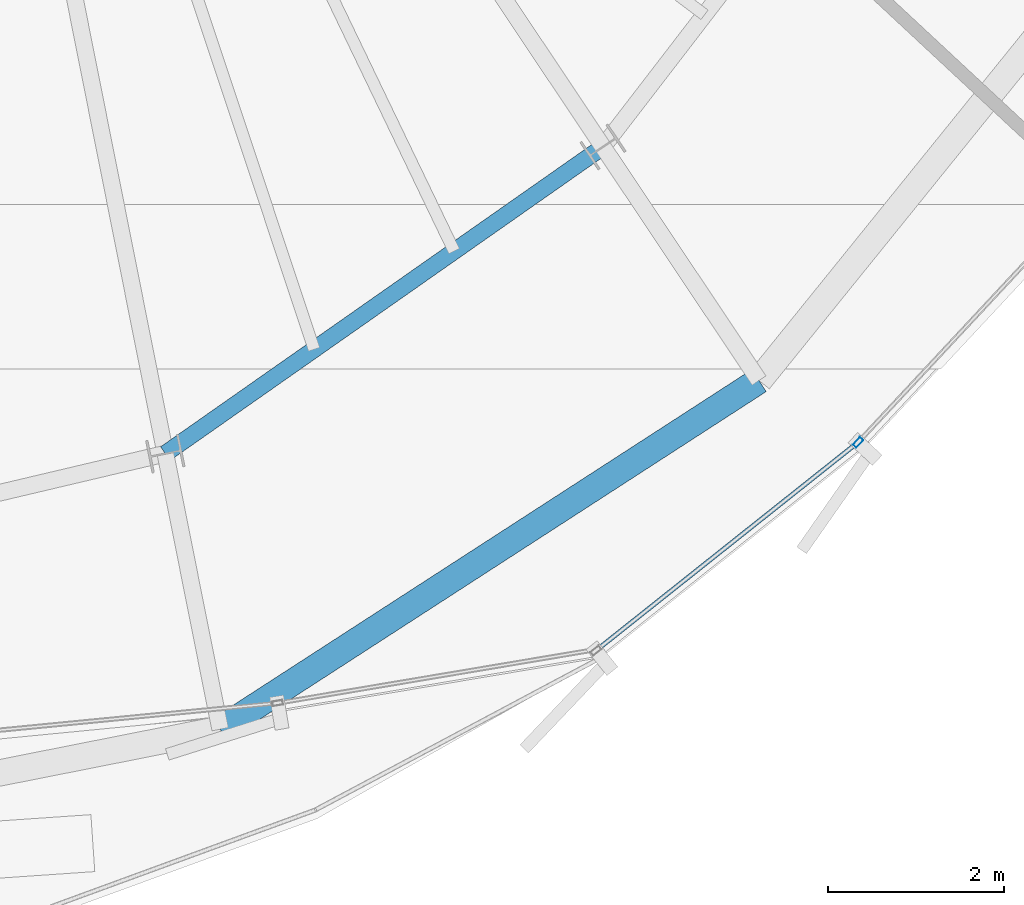
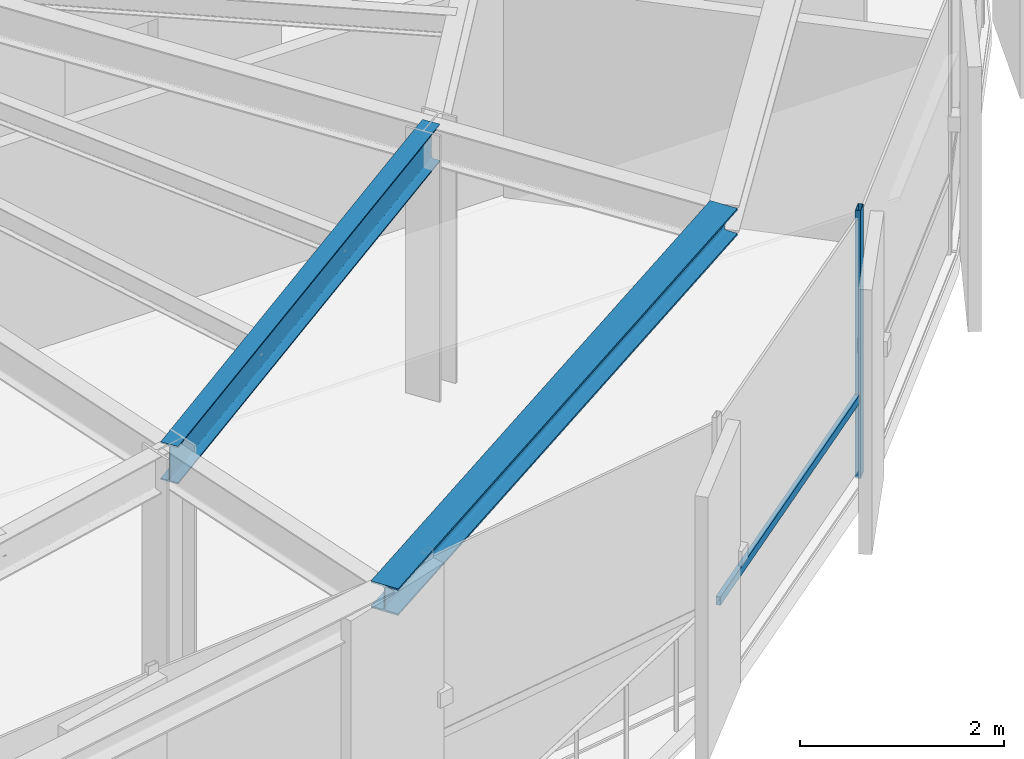
# One storey, part 7 of 32: 2 beams, 2 members, 1 element without a shape of its own.
"""IFC4 building model written with IfcOpenShell, lengths in metres."""

from ifc_helpers import new_model, si_unit, direction, frame, origin, origin_2d, place, context, subcontext, project, spatial, hollow_rectangle, i_section, extrude, source, transform, mapped, material, layer, layer_set, material_profile, profile_set, type_object, element, aggregate, save


model = new_model("IFC4")

# Units and contexts
model_context = context("Model", 3, precision=1e-05, world=origin(), true_north=direction((0.0, 1.0)))
body_context = subcontext(model_context, "Body", "Model", "MODEL_VIEW")
ifc_project = project(units=[si_unit("LENGTHUNIT", "METRE"), si_unit("AREAUNIT", "SQUARE_METRE"), si_unit("VOLUMEUNIT", "CUBIC_METRE"), si_unit("PLANEANGLEUNIT", "RADIAN"), si_unit("MASSUNIT", "GRAM", prefix="KILO"), si_unit("THERMODYNAMICTEMPERATUREUNIT", "KELVIN")], contexts=[model_context])

# Site, building, storey
site_placement = place(None, origin())
site = spatial("IfcSite", under=ifc_project, at=site_placement, CompositionType="ELEMENT")
building_placement = place(site_placement, origin())
building = spatial("IfcBuilding", under=site, at=building_placement, Name="Kethvar Cultural Tower", CompositionType="ELEMENT")
storey_placement = place(building_placement, frame((0.0, 0.0, 273.25)))
storey = spatial("IfcBuildingStorey", under=building, at=storey_placement, Name="L72", CompositionType="ELEMENT", Elevation=273.25)

# Beams
ifc_material_1 = material(Name="Steel S355J2", Category="steel")
ifc_material_profile_1 = material_profile(ifc_material_1, i_section(OverallWidth=0.18994140625, OverallDepth=0.449951171875, WebThickness=0.009521484375, FlangeThickness=0.0146484375, FilletRadius=0.02099609375, at=origin_2d()), Name="Steel S355J2 — IPE450")
ifc_profile_set_1 = profile_set([ifc_material_profile_1], Name="Steel S355J2 — IPE450")
beam_type_1 = type_object("IfcBeamType", Name="BM-IPE450", PredefinedType="BEAM", material=ifc_profile_set_1)
shared_shape_1 = source(origin(), body_context, "Body", "SweptSolid", [
    extrude(i_section(OverallWidth=0.18994140625, OverallDepth=0.449951171875, WebThickness=0.009521484375, FlangeThickness=0.0146484375, FilletRadius=0.02099609375, at=origin_2d()), origin(), (0.0, 0.0, 1.0), 6.0859375),
])
beam_1_placement = place(storey_placement, frame((49.901611328125, 12.206787109375, 2.98291015625), z_axis=(0.818843498091, 0.57401683393, 0.0), x_axis=(-0.57401683393, 0.818843498091, 0.0)))
element("IfcBeam", 1, at=beam_1_placement, inside=storey, type_object=beam_type_1, Name="L72 Column Ring Tie Beam CR-13", PredefinedType="BEAM", context=body_context, shape_type="MappedRepresentation", body=[
    mapped(shared_shape_1, transform((0.0, 0.0, 0.0), scale=1.0)),
])
ifc_material_profile_2 = material_profile(ifc_material_1, i_section(OverallWidth=0.300048828125, OverallDepth=0.320068359375, WebThickness=0.011474609375, FlangeThickness=0.0205078125, FilletRadius=0.027099609375, at=origin_2d()), Name="Steel S355J2 — HEB320")
ifc_profile_set_2 = profile_set([ifc_material_profile_2], Name="Steel S355J2 — HEB320")
beam_type_2 = type_object("IfcBeamType", Name="BM-SP320", PredefinedType="SPANDREL", material=ifc_profile_set_2)
shared_shape_2 = source(origin(), body_context, "Body", "SweptSolid", [
    extrude(i_section(OverallWidth=0.300048828125, OverallDepth=0.320068359375, WebThickness=0.011474609375, FlangeThickness=0.0205078125, FilletRadius=0.027099609375, at=origin_2d()), origin(), (0.0, 0.0, 1.0), 7.309326171875),
])
beam_2_placement = place(storey_placement, frame((50.52587890625, 9.068359375, 3.048095703125), z_axis=(0.839562091992, 0.543263742292, 0.0), x_axis=(-0.543263742292, 0.839562091992, 0.0)))
element("IfcBeam", 2, at=beam_2_placement, inside=storey, type_object=beam_type_2, Name="L72 Perimeter Spandrel Beam SP-13", PredefinedType="SPANDREL", context=body_context, shape_type="MappedRepresentation", body=[
    mapped(shared_shape_2, transform((0.0, 0.0, 0.0), scale=1.0)),
])

# Curtain wall, members
ifc_material_2 = material(Name="Aluminium 6063-T6", Category="aluminium")
ifc_layer = layer(ifc_material_2, 0.179931640625, Name="Aluminium 6063-T6", Category="aluminium")
ifc_layer_set = layer_set([ifc_layer], Name="Aluminium 6063-T6 (180 mm)")
curtain_wall_type = type_object("IfcCurtainWallType", Name="CW-SYS-05-Z56", PredefinedType="NOTDEFINED", material=ifc_layer_set)
curtain_wall_placement = place(storey_placement, origin())
curtain_wall = element("IfcCurtainWall", 3, at=curtain_wall_placement, inside=storey, type_object=curtain_wall_type, Name="L72 Curtain Wall Run 05", PredefinedType="NOTDEFINED")
ifc_material_profile_3 = material_profile(ifc_material_2, hollow_rectangle(XDim=0.054931640625, YDim=0.1201171875, WallThickness=0.00390625, at=origin_2d()), Name="Aluminium 6063-T6 — RHS120x55x4")
ifc_profile_set_3 = profile_set([ifc_material_profile_3], Name="Aluminium 6063-T6 — RHS120x55x4")
member_type_1 = type_object("IfcMemberType", Name="CW-SYS-05-Z56-MUL", PredefinedType="MULLION", material=ifc_profile_set_3)
shared_shape_3 = source(origin(), body_context, "Body", "SweptSolid", [
    extrude(hollow_rectangle(XDim=0.054931640625, YDim=0.1201171875, WallThickness=0.00390625, at=origin_2d()), origin(), (0.0, 0.0, 1.0), 3.2099609375),
])
member_1_placement = place(storey_placement, frame((57.7900390625, 12.3349609375, 0.0), z_axis=(0.0, 0.0, 1.0), x_axis=(-0.731472721648, 0.681870704375, 0.0)))
member_1 = element("IfcMember", 4, at=member_1_placement, type_object=member_type_1, Name="CW-L72-R05 Mullion 5", PredefinedType="MULLION", context=body_context, shape_type="MappedRepresentation", body=[
    mapped(shared_shape_3, transform((0.0, 0.0, 0.0), scale=1.0)),
])
ifc_material_profile_4 = material_profile(ifc_material_2, hollow_rectangle(XDim=0.050048828125, YDim=0.10009765625, WallThickness=0.00390625, at=origin_2d()), Name="Aluminium 6063-T6 — RHS100x50x4")
ifc_profile_set_4 = profile_set([ifc_material_profile_4], Name="Aluminium 6063-T6 — RHS100x50x4")
member_type_2 = type_object("IfcMemberType", Name="CW-SYS-05-Z56-TRN", PredefinedType="USERDEFINED", material=ifc_profile_set_4)
shared_shape_4 = source(origin(), body_context, "Body", "SweptSolid", [
    extrude(hollow_rectangle(XDim=0.050048828125, YDim=0.10009765625, WallThickness=0.00390625, at=origin_2d()), origin(), (0.0, 0.0, 1.0), 3.74755859375),
])
member_2_placement = place(storey_placement, frame((54.836181640625, 9.988525390625, 0.949951171875), z_axis=(0.782854172995, 0.622205226452, 0.0), x_axis=(-0.622205226452, 0.782854172995, 0.0)))
member_2 = element("IfcMember", 5, at=member_2_placement, type_object=member_type_2, Name="CW-L72-R05 Transom 4", ObjectType="TRANSOM", PredefinedType="USERDEFINED", context=body_context, shape_type="MappedRepresentation", body=[
    mapped(shared_shape_4, transform((0.0, 0.0, 0.0), scale=1.0)),
])
aggregate(curtain_wall, [member_1, member_2])

save(model, "model.ifc")
